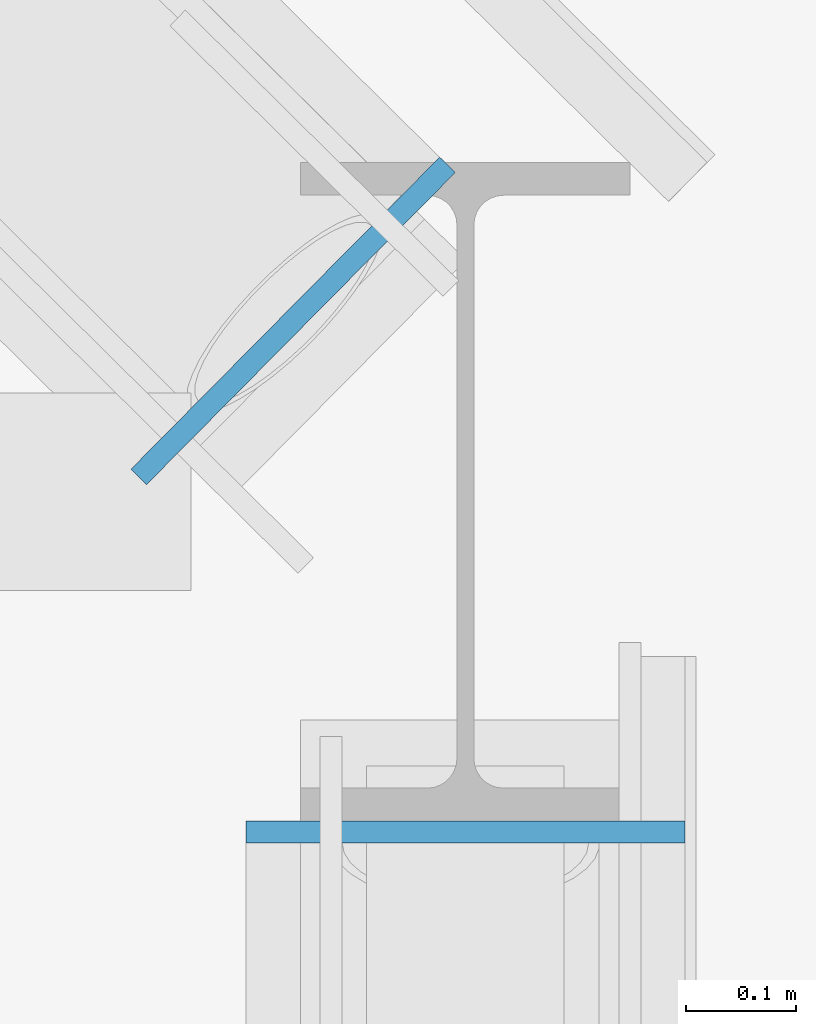
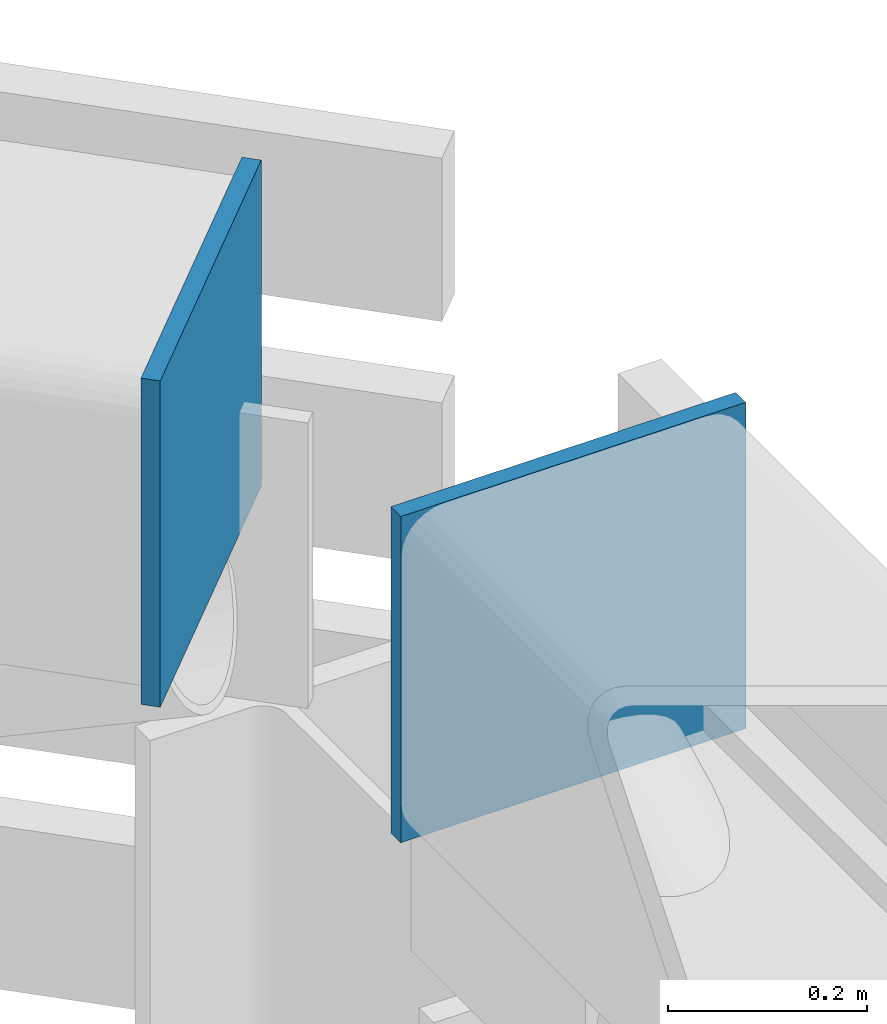
# One storey, part 11 of 22: 2 plates.
"""IFC4 building model written with IfcOpenShell, lengths in metres."""

from ifc_helpers import new_model, si_unit, direction, frame, origin, origin_2d, place, context, subcontext, project, spatial, rectangle, extrude, material, layer, layer_set, type_object, element, save


model = new_model("IFC4")

# Units and contexts
model_context = context("Model", 3, precision=1e-05, world=origin(), true_north=direction((0.0, 1.0)))
body_context = subcontext(model_context, "Body", "Model", "MODEL_VIEW")
ifc_project = project(units=[si_unit("LENGTHUNIT", "METRE"), si_unit("AREAUNIT", "SQUARE_METRE"), si_unit("VOLUMEUNIT", "CUBIC_METRE"), si_unit("PLANEANGLEUNIT", "RADIAN"), si_unit("MASSUNIT", "GRAM", prefix="KILO")], contexts=[model_context])

# Site, building, storey
site_placement = place(None, origin())
site = spatial("IfcSite", under=ifc_project, at=site_placement, CompositionType="ELEMENT")
building_placement = place(site_placement, origin())
building = spatial("IfcBuilding", under=site, at=building_placement, Name="Saffron Gate Tower", CompositionType="ELEMENT")
storey_placement = place(building_placement, frame((0.0, 0.0, 314.85009765625)))
storey = spatial("IfcBuildingStorey", under=building, at=storey_placement, Name="Roof crown", CompositionType="ELEMENT", Elevation=314.85009765625)

# Plates
ifc_material = material(Name="Structural steel S355", Category="steel")
ifc_layer = layer(ifc_material, 0.02001953125)
ifc_layer_set = layer_set([ifc_layer], Name="EP1 box end plate")
plate_type = type_object("IfcPlateType", Name="EP1 box end plate", PredefinedType="SHEET", material=ifc_layer_set)
for number, where, z_axis, x_axis, name in (
    (1, (117.0, 65.090087890625, 8.25), (0.0, 0.0, 1.0), (0.0, 1.0, 0.0), "RING BEAM end plate"),
    (2, (116.843017578125, 65.555419921875, 8.25), (0.0, 0.0, 1.0), (-0.710902589283, 0.703290486606, 0.0), "RING BEAM end plate"),
):
    element("IfcPlate", number, at=place(storey_placement, frame(where, z_axis=z_axis, x_axis=x_axis)), inside=storey, type_object=plate_type, Name=name, PredefinedType="SHEET", context=body_context, shape_type="SweptSolid", body=[
        extrude(rectangle(XDim=0.02001953125, YDim=0.39990234375, at=origin_2d()), origin(), (0.0, 0.0, 1.0), 0.39990234375),
    ])

save(model, "model.ifc")
